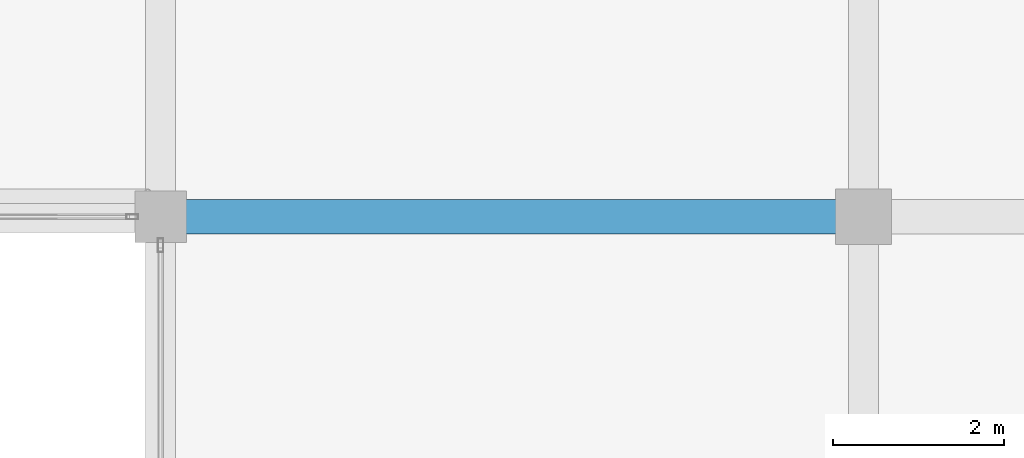
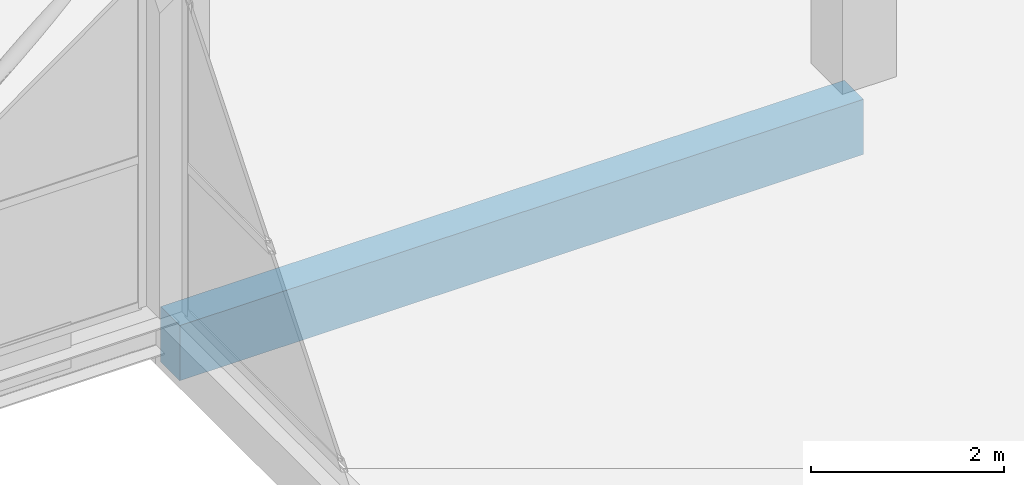
# One storey, part 32 of 58: 1 beam.
"""IFC4 building model written with IfcOpenShell, lengths in metres."""

from ifc_helpers import new_model, si_unit, direction, frame, origin, origin_2d, place, context, subcontext, project, spatial, rectangle, extrude, material, material_profile, profile_set, type_object, element, save


model = new_model("IFC4")

# Units and contexts
model_context = context("Model", 3, precision=1e-05, world=origin(), true_north=direction((0.0, 1.0)))
body_context = subcontext(model_context, "Body", "Model", "MODEL_VIEW")
ifc_project = project(units=[si_unit("LENGTHUNIT", "METRE"), si_unit("AREAUNIT", "SQUARE_METRE"), si_unit("VOLUMEUNIT", "CUBIC_METRE"), si_unit("PLANEANGLEUNIT", "RADIAN"), si_unit("MASSUNIT", "GRAM", prefix="KILO")], contexts=[model_context])

# Site, building, storey
site_placement = place(None, origin())
site = spatial("IfcSite", under=ifc_project, at=site_placement, CompositionType="ELEMENT")
building_placement = place(site_placement, origin())
building = spatial("IfcBuilding", under=site, at=building_placement, Name="Sillaruma Civic Art Gallery", CompositionType="ELEMENT")
storey_placement = place(building_placement, frame((0.0, 0.0, 52.02001953125)))
storey = spatial("IfcBuildingStorey", under=building, at=storey_placement, Name="L10", CompositionType="ELEMENT", Elevation=52.02001953125)

# Beam
ifc_material = material(Name="Concrete H35 (35 MPa)", Category="concrete")
ifc_material_profile = material_profile(ifc_material, rectangle(XDim=0.39990234375, YDim=0.699951171875, at=origin_2d()), Name="RCB400x700")
ifc_profile_set = profile_set([ifc_material_profile], Name="Concrete H35 (35 MPa)")
beam_type = type_object("IfcBeamType", Name="BM-BEAM-RCB400x700", PredefinedType="BEAM", material=ifc_profile_set)
beam_placement = place(storey_placement, frame((98.0, 69.300048828125, -0.60009765625), z_axis=(1.0, 0.0, 0.0), x_axis=(0.0, 1.0, 0.0)))
element("IfcBeam", 1, at=beam_placement, inside=storey, type_object=beam_type, Name="Beam BM-04 (L09:8:L-M)", PredefinedType="BEAM", context=body_context, shape_type="SweptSolid", body=[
    extrude(rectangle(XDim=0.39990234375, YDim=0.699951171875, at=origin_2d()), origin(), (0.0, 0.0, 1.0), 8.199951171875),
])

save(model, "model.ifc")
